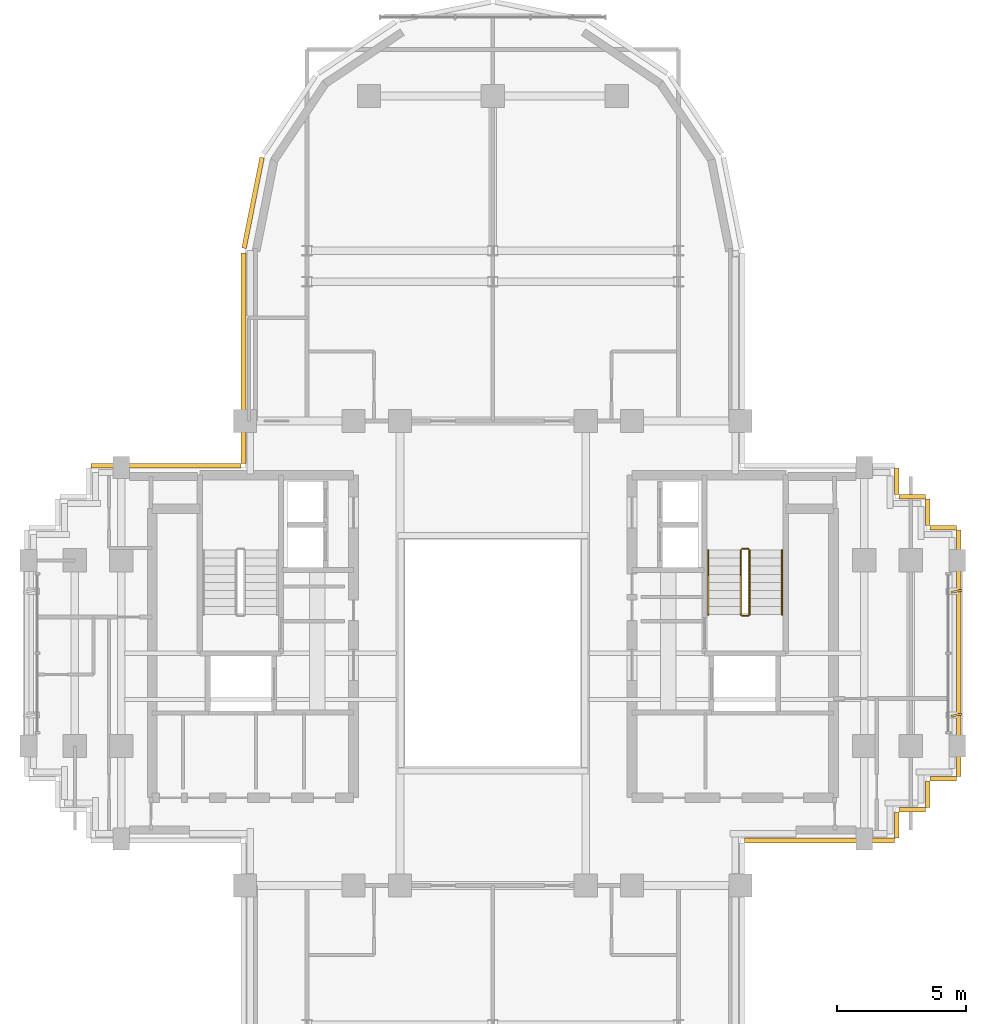
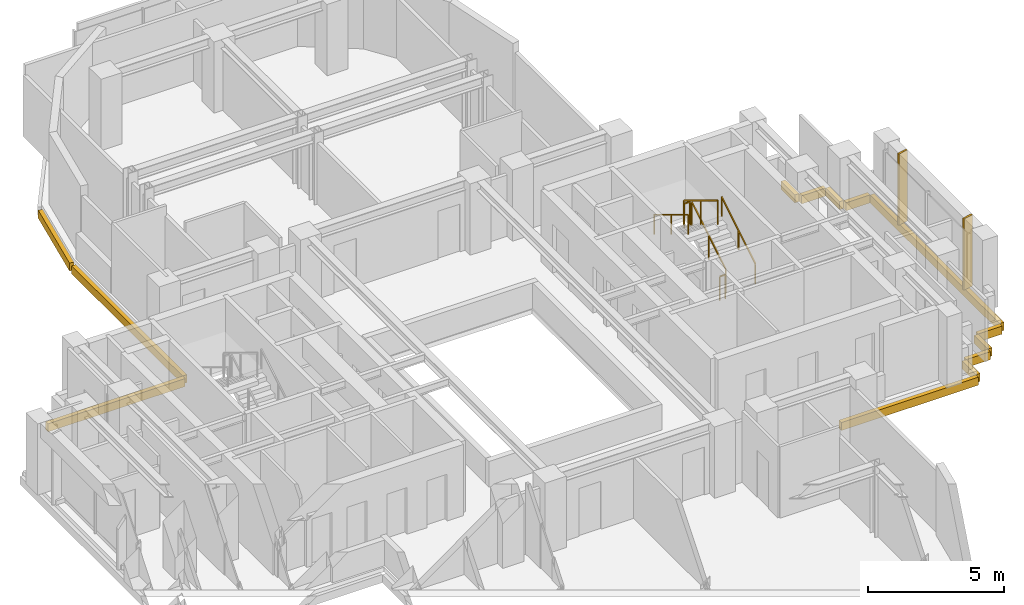
# One storey, part 11 of 12: 13 coverings, 6 railings, 2 shading devices.
"""IFC4 building model written with IfcOpenShell, lengths in metres."""

from ifc_helpers import new_model, si_unit, direction, frame, origin, origin_2d, place, context, subcontext, project, spatial, rectangle, extrude, source, transform, mapped, material, layer, layer_set, type_object, element, save


model = new_model("IFC4")

# Units and contexts
model_context = context("Model", 3, precision=1e-05, world=origin(), true_north=direction((0.0, 1.0)))
body_context = subcontext(model_context, "Body", "Model", "MODEL_VIEW")
ifc_project = project(units=[si_unit("LENGTHUNIT", "METRE"), si_unit("AREAUNIT", "SQUARE_METRE"), si_unit("VOLUMEUNIT", "CUBIC_METRE"), si_unit("PLANEANGLEUNIT", "RADIAN"), si_unit("MASSUNIT", "GRAM", prefix="KILO")], contexts=[model_context])

# Site, building, storey
site_placement = place(None, origin())
site = spatial("IfcSite", under=ifc_project, at=site_placement, CompositionType="ELEMENT")
building_placement = place(site_placement, origin())
building = spatial("IfcBuilding", under=site, at=building_placement, Name="Keilestroom Media Tower", CompositionType="ELEMENT")
storey_placement = place(building_placement, frame((0.0, 0.0, 191.0)))
storey = spatial("IfcBuildingStorey", under=building, at=storey_placement, Name="L52", CompositionType="ELEMENT", Elevation=191.0)

# Railings
ifc_material_1 = material(Name="Brushed Stainless Steel 1.4301", Category="steel")
railing_type_1 = type_object("IfcRailingType", Name="Stair-Pitch-Handrail-920", PredefinedType="HANDRAIL", material=ifc_material_1)
railing_1_placement = place(storey_placement, frame((11.2099609375, 1.5, 0.18896484375)))
element("IfcRailing", 1, at=railing_1_placement, inside=storey, type_object=railing_type_1, Name="L52 ST-2 stair handrail 1", PredefinedType="HANDRAIL", context=body_context, shape_type="SweptSolid", body=[
    extrude(rectangle(XDim=0.048095703125, YDim=0.048095703125, at=origin_2d()), frame((0.0, 0.0, 0.8759765625), z_axis=(0.0, 0.855470815493, 0.517851024754), x_axis=(-1.0, 0.0, 0.0)), (0.0, 0.0, 1.0), 2.917724609375),
    extrude(rectangle(XDim=0.0419921875, YDim=0.0419921875, at=origin_2d()), origin(), (0.0, 0.0, 1.0), 0.84375),
    extrude(rectangle(XDim=0.0419921875, YDim=0.0419921875, at=origin_2d()), frame((0.0, 1.248046875, 0.75537109375)), (0.0, 0.0, 1.0), 0.84375),
    extrude(rectangle(XDim=0.0419921875, YDim=0.0419921875, at=origin_2d()), frame((0.0, 2.49609375, 1.510986328125)), (0.0, 0.0, 1.0), 0.84375),
])
railing_2_placement = place(storey_placement, frame((8.35009765625, 3.99609375, 1.888916015625)))
element("IfcRailing", 2, at=railing_2_placement, inside=storey, type_object=railing_type_1, Name="L52 ST-2 stair handrail 2", PredefinedType="HANDRAIL", context=body_context, shape_type="SweptSolid", body=[
    extrude(rectangle(XDim=0.048095703125, YDim=0.048095703125, at=origin_2d()), frame((0.0, 0.0, 0.8759765625), z_axis=(0.0, -0.855470815493, 0.517851024754), x_axis=(1.0, 0.0, 0.0)), (0.0, 0.0, 1.0), 2.917724609375),
    extrude(rectangle(XDim=0.0419921875, YDim=0.0419921875, at=origin_2d()), origin(), (0.0, 0.0, 1.0), 0.84375),
    extrude(rectangle(XDim=0.0419921875, YDim=0.0419921875, at=origin_2d()), frame((0.0, -1.248046875, 0.75537109375)), (0.0, 0.0, 1.0), 0.84375),
    extrude(rectangle(XDim=0.0419921875, YDim=0.0419921875, at=origin_2d()), frame((0.0, -2.49609375, 1.510986328125)), (0.0, 0.0, 1.0), 0.84375),
])
ifc_material_2 = material(Name="Painted Steel Balustrade", Category="steel")
railing_type_2 = type_object("IfcRailingType", Name="Stair-Well-And-Landing-Guard-1100", PredefinedType="GUARDRAIL", material=ifc_material_2)
railing_3_placement = place(storey_placement, frame((9.949951171875, 1.5, 0.18896484375)))
element("IfcRailing", 3, at=railing_3_placement, inside=storey, type_object=railing_type_2, Name="L52 ST-2 stair guard 1", PredefinedType="GUARDRAIL", context=body_context, shape_type="SweptSolid", body=[
    extrude(rectangle(XDim=0.048095703125, YDim=0.048095703125, at=origin_2d()), frame((0.0, 0.0, 1.076171875), z_axis=(0.0, 0.855470815493, 0.517851024754), x_axis=(-1.0, 0.0, 0.0)), (0.0, 0.0, 1.0), 2.917724609375),
    extrude(rectangle(XDim=0.0419921875, YDim=0.0419921875, at=origin_2d()), origin(), (0.0, 0.0, 1.0), 1.0439453125),
    extrude(rectangle(XDim=0.0419921875, YDim=0.0419921875, at=origin_2d()), frame((0.0, 1.248046875, 0.75537109375)), (0.0, 0.0, 1.0), 1.0439453125),
    extrude(rectangle(XDim=0.0419921875, YDim=0.0419921875, at=origin_2d()), frame((0.0, 2.49609375, 1.510986328125)), (0.0, 0.0, 1.0), 1.0439453125),
])
railing_4_placement = place(storey_placement, frame((9.89990234375, 4.0458984375, 1.699951171875)))
element("IfcRailing", 4, at=railing_4_placement, inside=storey, type_object=railing_type_2, Name="L52 ST-2 stair guard 2", PredefinedType="GUARDRAIL", context=body_context, shape_type="SweptSolid", body=[
    extrude(rectangle(XDim=0.048095703125, YDim=0.048095703125, at=origin_2d()), frame((0.0, 0.0, 1.076171875), z_axis=(-1.0, 0.0, 0.0), x_axis=(0.0, -1.0, 0.0)), (0.0, 0.0, 1.0), 0.239990234375),
    extrude(rectangle(XDim=0.0419921875, YDim=0.0419921875, at=origin_2d()), origin(), (0.0, 0.0, 1.0), 1.0439453125),
    extrude(rectangle(XDim=0.0419921875, YDim=0.0419921875, at=origin_2d()), frame((-0.239990234375, 0.0, 0.0)), (0.0, 0.0, 1.0), 1.0439453125),
])
railing_5_placement = place(storey_placement, frame((9.610107421875, 3.99609375, 1.888916015625)))
element("IfcRailing", 5, at=railing_5_placement, inside=storey, type_object=railing_type_2, Name="L52 ST-2 stair guard 3", PredefinedType="GUARDRAIL", context=body_context, shape_type="SweptSolid", body=[
    extrude(rectangle(XDim=0.048095703125, YDim=0.048095703125, at=origin_2d()), frame((0.0, 0.0, 1.076171875), z_axis=(0.0, -0.855470815493, 0.517851024754), x_axis=(1.0, 0.0, 0.0)), (0.0, 0.0, 1.0), 2.917724609375),
    extrude(rectangle(XDim=0.0419921875, YDim=0.0419921875, at=origin_2d()), origin(), (0.0, 0.0, 1.0), 1.0439453125),
    extrude(rectangle(XDim=0.0419921875, YDim=0.0419921875, at=origin_2d()), frame((0.0, -1.248046875, 0.75537109375)), (0.0, 0.0, 1.0), 1.0439453125),
    extrude(rectangle(XDim=0.0419921875, YDim=0.0419921875, at=origin_2d()), frame((0.0, -2.49609375, 1.510986328125)), (0.0, 0.0, 1.0), 1.0439453125),
])
railing_6_placement = place(storey_placement, frame((9.89990234375, 1.449951171875, 0.0)))
element("IfcRailing", 6, at=railing_6_placement, inside=storey, type_object=railing_type_2, Name="L52 ST-2 stair guard 4", PredefinedType="GUARDRAIL", context=body_context, shape_type="SweptSolid", body=[
    extrude(rectangle(XDim=0.048095703125, YDim=0.048095703125, at=origin_2d()), frame((0.0, 0.0, 1.076171875), z_axis=(-1.0, 0.0, 0.0), x_axis=(0.0, -1.0, 0.0)), (0.0, 0.0, 1.0), 0.239990234375),
    extrude(rectangle(XDim=0.0419921875, YDim=0.0419921875, at=origin_2d()), origin(), (0.0, 0.0, 1.0), 1.0439453125),
    extrude(rectangle(XDim=0.0419921875, YDim=0.0419921875, at=origin_2d()), frame((-0.239990234375, 0.0, 0.0)), (0.0, 0.0, 1.0), 1.0439453125),
])

# Shading devices
ifc_material_3 = material(Name="Bronze Anodised Aluminium", Category="aluminium")
shading_device_type = type_object("IfcShadingDeviceType", Name="Facade-Vertical-Sunshade-Fin-SHD-1", PredefinedType="USERDEFINED", material=ifc_material_3)
shared_shape_1 = source(origin(), body_context, "Body", "SweptSolid", [
    extrude(rectangle(XDim=0.419921875, YDim=0.080078125, at=origin_2d()), origin(), (0.0, 0.0, 1.0), 3.199951171875),
])
for number, where, z_axis, x_axis, name in (
    (7, (17.969970703125, -2.39990234375, 0.0), (0.0, 0.0, 1.0), (0.979080999763, 0.203470872369, 0.0), "L52 Twisting Sunshade Fin SHD-1 075"),
    (8, (17.969970703125, 2.39990234375, 0.0), (0.0, 0.0, 1.0), (0.979080999763, 0.203470872369, 0.0), "L52 Twisting Sunshade Fin SHD-1 076"),
):
    element("IfcShadingDevice", number, at=place(storey_placement, frame(where, z_axis=z_axis, x_axis=x_axis)), inside=storey, type_object=shading_device_type, Name=name, ObjectType="SUNSHADE", PredefinedType="USERDEFINED", context=body_context, shape_type="MappedRepresentation", body=[
        mapped(shared_shape_1, transform((0.0, 0.0, 0.0), x_axis=(1.0, 0.0, 0.0), y_axis=(0.0, 1.0, 0.0), z_axis=(0.0, 0.0, 1.0), scale=1.0)),
    ])

# Coverings
ifc_material_4 = material(Name="Precast concrete C40/50", Category="concrete")
ifc_layer = layer(ifc_material_4, 0.1201171875)
ifc_layer_set = layer_set([ifc_layer], Name="Precast concrete C40/50")
covering_type = type_object("IfcCoveringType", Name="Exterior-Precast-Spandrel-Cladding-Panel-120", PredefinedType="CLADDING", material=ifc_layer_set)
shared_shape_2 = source(origin(), body_context, "Body", "SweptSolid", [
    extrude(rectangle(XDim=1.02001953125, YDim=0.179931640625, at=origin_2d()), origin(), (0.0, 0.0, 1.0), 0.360107421875),
])
for number, where, z_axis, x_axis, name in (
    (9, (17.4599609375, -4.860107421875, -0.5400390625), (0.0, 0.0, 1.0), (-1.0, 0.0, 0.0), "L52 Precast Slab-Edge Fascia Cornice 01"),
    (10, (16.860107421875, -5.4599609375, -0.5400390625), (0.0, 0.0, 1.0), (0.0, -1.0, 0.0), "L52 Precast Slab-Edge Fascia Cornice 02"),
    (11, (16.260009765625, -6.06005859375, -0.5400390625), (0.0, 0.0, 1.0), (-1.0, 0.0, 0.0), "L52 Precast Slab-Edge Fascia Cornice 03"),
    (12, (15.659912109375, -6.659912109375, -0.5400390625), (0.0, 0.0, 1.0), (0.0, -1.0, 0.0), "L52 Precast Slab-Edge Fascia Cornice 04"),
    (13, (15.659912109375, 6.659912109375, -0.5400390625), (0.0, 0.0, 1.0), (0.0, -1.0, 0.0), "L52 Precast Slab-Edge Fascia Cornice 38"),
    (14, (16.260009765625, 6.06005859375, -0.5400390625), (0.0, 0.0, 1.0), (1.0, 0.0, 0.0), "L52 Precast Slab-Edge Fascia Cornice 39"),
    (15, (16.860107421875, 5.4599609375, -0.5400390625), (0.0, 0.0, 1.0), (0.0, -1.0, 0.0), "L52 Precast Slab-Edge Fascia Cornice 40"),
    (16, (17.4599609375, 4.860107421875, -0.5400390625), (0.0, 0.0, 1.0), (1.0, 0.0, 0.0), "L52 Precast Slab-Edge Fascia Cornice 41"),
):
    element("IfcCovering", number, at=place(storey_placement, frame(where, z_axis=z_axis, x_axis=x_axis)), inside=storey, type_object=covering_type, Name=name, PredefinedType="CLADDING", context=body_context, shape_type="MappedRepresentation", body=[
        mapped(shared_shape_2, transform((0.0, 0.0, 0.0), x_axis=(1.0, 0.0, 0.0), y_axis=(0.0, 1.0, 0.0), z_axis=(0.0, 0.0, 1.0), scale=1.0)),
    ])
shared_shape_3 = source(origin(), body_context, "Body", "SweptSolid", [
    extrude(rectangle(XDim=8.166015625, YDim=0.179931640625, at=origin_2d()), origin(), (0.0, 0.0, 1.0), 0.360107421875),
])
covering_1_placement = place(storey_placement, frame((-9.659912109375, 11.43310546875, -0.5400390625), z_axis=(0.0, 0.0, 1.0), x_axis=(0.0, 1.0, 0.0)))
element("IfcCovering", 17, at=covering_1_placement, inside=storey, type_object=covering_type, Name="L52 Precast Slab-Edge Fascia Cornice 27", PredefinedType="CLADDING", context=body_context, shape_type="MappedRepresentation", body=[
    mapped(shared_shape_3, transform((0.0, 0.0, 0.0), x_axis=(1.0, 0.0, 0.0), y_axis=(0.0, 1.0, 0.0), z_axis=(0.0, 0.0, 1.0), scale=1.0)),
])
shared_shape_4 = source(origin(), body_context, "Body", "SweptSolid", [
    extrude(rectangle(XDim=3.58349609375, YDim=0.179931640625, at=origin_2d()), origin(), (0.0, 0.0, 1.0), 0.360107421875),
])
covering_2_placement = place(storey_placement, frame((-9.29296875, 17.45166015625, -0.5400390625), z_axis=(0.0, 0.0, 1.0), x_axis=(0.195098880975, 0.980783577882, 0.0)))
element("IfcCovering", 18, at=covering_2_placement, inside=storey, type_object=covering_type, Name="L52 Precast Slab-Edge Fascia Cornice 28", PredefinedType="CLADDING", context=body_context, shape_type="MappedRepresentation", body=[
    mapped(shared_shape_4, transform((0.0, 0.0, 0.0), x_axis=(1.0, 0.0, 0.0), y_axis=(0.0, 1.0, 0.0), z_axis=(0.0, 0.0, 1.0), scale=1.0)),
])
shared_shape_5 = source(origin(), body_context, "Body", "SweptSolid", [
    extrude(rectangle(XDim=9.5400390625, YDim=0.179931640625, at=origin_2d()), origin(), (0.0, 0.0, 1.0), 0.360107421875),
])
covering_3_placement = place(storey_placement, frame((18.06005859375, 0.0, -0.5400390625), z_axis=(0.0, 0.0, 1.0), x_axis=(0.0, -1.0, 0.0)))
element("IfcCovering", 19, at=covering_3_placement, inside=storey, type_object=covering_type, Name="L52 Precast Slab-Edge Fascia Cornice 42", PredefinedType="CLADDING", context=body_context, shape_type="MappedRepresentation", body=[
    mapped(shared_shape_5, transform((0.0, 0.0, 0.0), x_axis=(1.0, 0.0, 0.0), y_axis=(0.0, 1.0, 0.0), z_axis=(0.0, 0.0, 1.0), scale=1.0)),
])
shared_shape_6 = source(origin(), body_context, "Body", "SweptSolid", [
    extrude(rectangle(XDim=5.820068359375, YDim=0.179931640625, at=origin_2d()), origin(), (0.0, 0.0, 1.0), 0.360107421875),
])
for number, where, z_axis, x_axis, name in (
    (20, (12.659912109375, -7.260009765625, -0.5400390625), (0.0, 0.0, 1.0), (-1.0, 0.0, 0.0), "L52 Precast Slab-Edge Fascia Cornice 05"),
    (21, (-12.659912109375, 7.260009765625, -0.5400390625), (0.0, 0.0, 1.0), (1.0, 0.0, 0.0), "L52 Precast Slab-Edge Fascia Cornice 26"),
):
    element("IfcCovering", number, at=place(storey_placement, frame(where, z_axis=z_axis, x_axis=x_axis)), inside=storey, type_object=covering_type, Name=name, PredefinedType="CLADDING", context=body_context, shape_type="MappedRepresentation", body=[
        mapped(shared_shape_6, transform((0.0, 0.0, 0.0), x_axis=(1.0, 0.0, 0.0), y_axis=(0.0, 1.0, 0.0), z_axis=(0.0, 0.0, 1.0), scale=1.0)),
    ])

save(model, "model.ifc")
